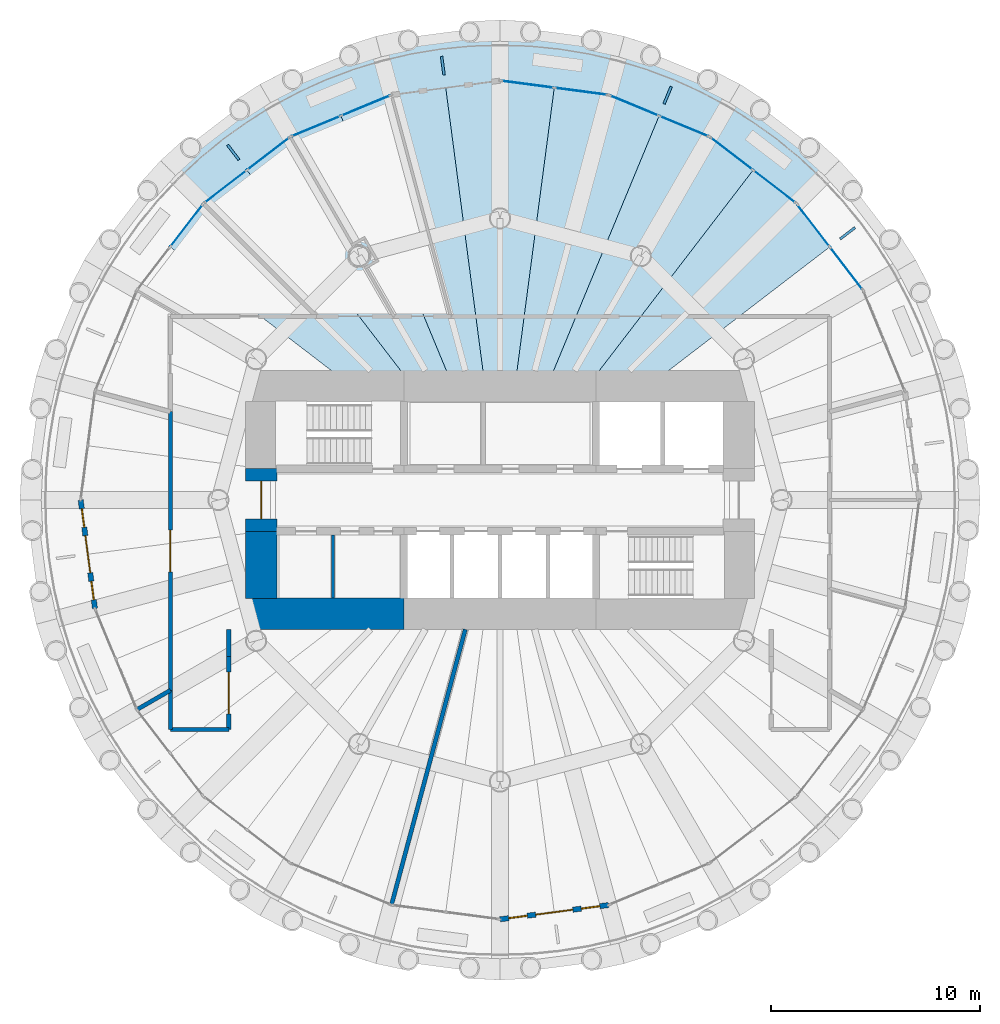
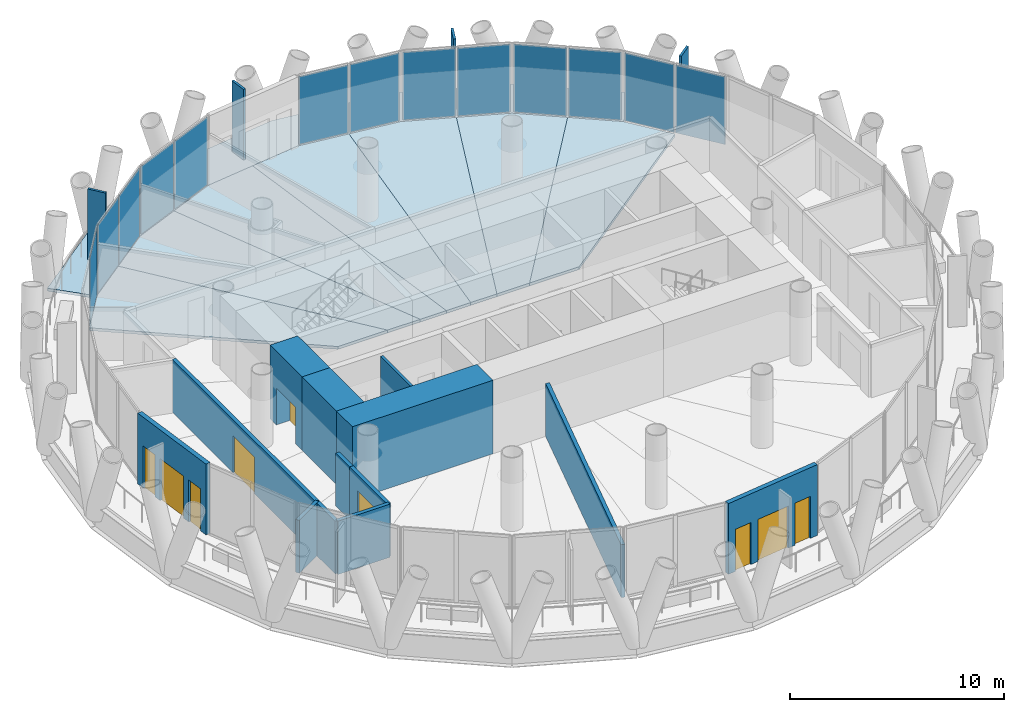
# One storey, part 8 of 14: 17 plates, 13 walls, 8 slabs, 5 doors, 4 windows, 9 openings, 7 elements without a shape of their own.
"""IFC4 building model written with IfcOpenShell, lengths in metres."""

from ifc_helpers import new_model, si_unit, direction, frame, frame_2d, origin, origin_2d, place, context, subcontext, project, spatial, polyline, rectangle, outline, extrude, material, layer, layer_set, type_object, element, fill, aggregate, save


model = new_model("IFC4")

# Units and contexts
model_context = context("Model", 3, precision=1e-05, world=origin(), true_north=direction((0.0, 1.0)))
body_context = subcontext(model_context, "Body", "Model", "MODEL_VIEW")
ifc_project = project(units=[si_unit("LENGTHUNIT", "METRE"), si_unit("AREAUNIT", "SQUARE_METRE"), si_unit("VOLUMEUNIT", "CUBIC_METRE"), si_unit("PLANEANGLEUNIT", "RADIAN"), si_unit("MASSUNIT", "GRAM", prefix="KILO")], contexts=[model_context])

# Site, building, storey
site_placement = place(None, origin())
site = spatial("IfcSite", under=ifc_project, at=site_placement, CompositionType="ELEMENT")
building_placement = place(site_placement, origin())
building = spatial("IfcBuilding", under=site, at=building_placement, Name="Qaws Media Tower", CompositionType="ELEMENT")
storey_placement = place(building_placement, frame((0.0, 0.0, 227.60009765625)))
storey = spatial("IfcBuildingStorey", under=building, at=storey_placement, Name="L52", CompositionType="ELEMENT", Elevation=227.60009765625)

# Slabs
ifc_material_1 = material(Name="Concrete C35/45", Category="concrete")
ifc_layer_1 = layer(ifc_material_1, 0.159912109375)
ifc_layer_set_1 = layer_set([ifc_layer_1], Name="Composite balcony slab 160")
slab_type_1 = type_object("IfcSlabType", Name="Composite balcony slab 160", PredefinedType="FLOOR", material=ifc_layer_set_1)
slab_1_placement = place(storey_placement, frame((0.0, 0.0, -0.16015625)))
element("IfcSlab", 1, at=slab_1_placement, inside=storey, type_object=slab_type_1, Name="S2 balcony slab L52 R04 to R10, movement joints on R04 and R10", PredefinedType="FLOOR", context=body_context, shape_type="SweptSolid", body=[
    extrude(outline(polyline([(48.75, 69.485595703125), (54.176513671875, 71.7333984375), (60.0, 72.5), (65.823486328125, 71.7333984375), (71.25, 69.485595703125), (75.909912109375, 65.909912109375), (74.212890625, 64.212890625), (70.050048828125, 67.406982421875), (65.202392578125, 69.4150390625), (60.0, 70.10009765625), (54.797607421875, 69.4150390625), (49.949951171875, 67.406982421875), (45.787109375, 64.212890625), (44.090087890625, 65.909912109375), (48.75, 69.485595703125)])), origin(), (0.0, 0.0, 1.0), 0.16015625),
])
ifc_material_2 = material(Name="Concrete C35/45", Category="concrete")
ifc_layer_2 = layer(ifc_material_2, 0.159912109375)
ifc_layer_set_2 = layer_set([ifc_layer_2], Name="Composite floor slab 160")
slab_type_2 = type_object("IfcSlabType", Name="Composite floor slab 160", PredefinedType="FLOOR", material=ifc_layer_set_2)
slab_2_placement = place(storey_placement, frame((0.0, 0.0, -0.16015625)))
element("IfcSlab", 2, at=slab_2_placement, inside=storey, type_object=slab_type_2, Name="S1 floor panel L52 on R04", PredefinedType="FLOOR", context=body_context, shape_type="SweptSolid", body=[
    extrude(outline(polyline([(74.212890625, 64.212890625), (75.81005859375, 62.13134765625), (66.51611328125, 55.0), (63.836669921875, 55.0), (72.13134765625, 65.81005859375), (74.212890625, 64.212890625)])), origin(), (0.0, 0.0, 1.0), 0.16015625),
])
slab_3_placement = place(storey_placement, frame((0.0, 0.0, -0.16015625)))
element("IfcSlab", 3, at=slab_3_placement, inside=storey, type_object=slab_type_2, Name="S1 floor panel L52 on R05", PredefinedType="FLOOR", context=body_context, shape_type="SweptSolid", body=[
    extrude(outline(polyline([(70.050048828125, 67.406982421875), (72.13134765625, 65.81005859375), (63.836669921875, 55.0), (62.071044921875, 55.0), (67.626220703125, 68.4111328125), (70.050048828125, 67.406982421875)])), origin(), (0.0, 0.0, 1.0), 0.16015625),
])
slab_4_placement = place(storey_placement, frame((0.0, 0.0, -0.16015625)))
element("IfcSlab", 4, at=slab_4_placement, inside=storey, type_object=slab_type_2, Name="S1 floor panel L52 on R06", PredefinedType="FLOOR", context=body_context, shape_type="SweptSolid", body=[
    extrude(outline(polyline([(65.202392578125, 69.4150390625), (67.626220703125, 68.4111328125), (62.071044921875, 55.0), (60.658203125, 55.0), (62.60107421875, 69.757568359375), (65.202392578125, 69.4150390625)])), origin(), (0.0, 0.0, 1.0), 0.16015625),
])
slab_5_placement = place(storey_placement, frame((0.0, 0.0, -0.16015625)))
element("IfcSlab", 5, at=slab_5_placement, inside=storey, type_object=slab_type_2, Name="S1 floor panel L52 on R07", PredefinedType="FLOOR", context=body_context, shape_type="SweptSolid", body=[
    extrude(outline(polyline([(60.0, 70.10009765625), (62.60107421875, 69.757568359375), (60.658203125, 55.0), (59.341796875, 55.0), (57.39892578125, 69.757568359375), (60.0, 70.10009765625)])), origin(), (0.0, 0.0, 1.0), 0.16015625),
])
slab_6_placement = place(storey_placement, frame((0.0, 0.0, -0.16015625)))
element("IfcSlab", 6, at=slab_6_placement, inside=storey, type_object=slab_type_2, Name="S1 floor panel L52 on R08", PredefinedType="FLOOR", context=body_context, shape_type="SweptSolid", body=[
    extrude(outline(polyline([(54.797607421875, 69.4150390625), (57.39892578125, 69.757568359375), (59.341796875, 55.0), (57.928955078125, 55.0), (52.373779296875, 68.4111328125), (54.797607421875, 69.4150390625)])), origin(), (0.0, 0.0, 1.0), 0.16015625),
])
slab_7_placement = place(storey_placement, frame((0.0, 0.0, -0.16015625)))
element("IfcSlab", 7, at=slab_7_placement, inside=storey, type_object=slab_type_2, Name="S1 floor panel L52 on R09", PredefinedType="FLOOR", context=body_context, shape_type="SweptSolid", body=[
    extrude(outline(polyline([(49.949951171875, 67.406982421875), (52.373779296875, 68.4111328125), (57.928955078125, 55.0), (56.163330078125, 55.0), (47.86865234375, 65.81005859375), (49.949951171875, 67.406982421875)])), origin(), (0.0, 0.0, 1.0), 0.16015625),
])
slab_8_placement = place(storey_placement, frame((0.0, 0.0, -0.16015625)))
element("IfcSlab", 8, at=slab_8_placement, inside=storey, type_object=slab_type_2, Name="S1 floor panel L52 on R10", PredefinedType="FLOOR", context=body_context, shape_type="SweptSolid", body=[
    extrude(outline(polyline([(45.787109375, 64.212890625), (47.86865234375, 65.81005859375), (56.163330078125, 55.0), (53.48388671875, 55.0), (44.18994140625, 62.13134765625), (45.787109375, 64.212890625)])), origin(), (0.0, 0.0, 1.0), 0.16015625),
])

# Curtain wall, plates
ifc_material_3 = material(Name="Aluminium and clear glass", Category="aluminium")
curtain_wall_type = type_object("IfcCurtainWallType", Name="Unitised curtain wall CW-C", PredefinedType="NOTDEFINED", material=ifc_material_3)
curtain_wall_1_placement = place(storey_placement, origin())
curtain_wall_1 = element("IfcCurtainWall", 9, at=curtain_wall_1_placement, inside=storey, type_object=curtain_wall_type, Name="CWC curtain wall L52-03", PredefinedType="NOTDEFINED")
ifc_material_4 = material(Name="Clear laminated double glazing", Category="glass")
ifc_layer_3 = layer(ifc_material_4, 0.031982421875)
ifc_layer_set_3 = layer_set([ifc_layer_3], Name="Curtain wall glass unit 32")
plate_type_1 = type_object("IfcPlateType", Name="Curtain wall glass unit 32", PredefinedType="CURTAIN_PANEL", material=ifc_layer_set_3)
plate_1_placement = place(storey_placement, frame((76.596435546875, 61.106689453125, 0.080078125), z_axis=(0.0, 0.0, 1.0), x_axis=(-0.608761539048, 0.793353255855, 0.0)))
plate_1 = element("IfcPlate", 10, at=plate_1_placement, type_object=plate_type_1, Name="CWC panel 1.1", PredefinedType="CURTAIN_PANEL", context=body_context, shape_type="SweptSolid", body=[
    extrude(rectangle(XDim=2.503662109375, YDim=0.031982421875, at=origin_2d()), origin(), (0.0, 0.0, 1.0), 3.8798828125),
])
plate_2_placement = place(storey_placement, frame((75.023681640625, 63.15625, 0.080078125), z_axis=(0.0, 0.0, 1.0), x_axis=(-0.608761539048, 0.793353255855, 0.0)))
plate_2 = element("IfcPlate", 11, at=plate_2_placement, type_object=plate_type_1, Name="CWC panel 2.1", PredefinedType="CURTAIN_PANEL", context=body_context, shape_type="SweptSolid", body=[
    extrude(rectangle(XDim=2.503662109375, YDim=0.031982421875, at=origin_2d()), origin(), (0.0, 0.0, 1.0), 3.8798828125),
])
aggregate(curtain_wall_1, [plate_1, plate_2])

curtain_wall_2_placement = place(storey_placement, origin())
curtain_wall_2 = element("IfcCurtainWall", 12, at=curtain_wall_2_placement, inside=storey, type_object=curtain_wall_type, Name="CWC curtain wall L52-04", PredefinedType="NOTDEFINED")
plate_3_placement = place(storey_placement, frame((73.15625, 65.023681640625, 0.080078125), z_axis=(0.0, 0.0, 1.0), x_axis=(-0.793353255855, 0.608761539048, 0.0)))
plate_3 = element("IfcPlate", 13, at=plate_3_placement, type_object=plate_type_1, Name="CWC panel 1.1", PredefinedType="CURTAIN_PANEL", context=body_context, shape_type="SweptSolid", body=[
    extrude(rectangle(XDim=2.503662109375, YDim=0.031982421875, at=origin_2d()), origin(), (0.0, 0.0, 1.0), 3.8798828125),
])
plate_4_placement = place(storey_placement, frame((71.106689453125, 66.596435546875, 0.080078125), z_axis=(0.0, 0.0, 1.0), x_axis=(-0.793353255855, 0.608761539048, 0.0)))
plate_4 = element("IfcPlate", 14, at=plate_4_placement, type_object=plate_type_1, Name="CWC panel 2.1", PredefinedType="CURTAIN_PANEL", context=body_context, shape_type="SweptSolid", body=[
    extrude(rectangle(XDim=2.503662109375, YDim=0.031982421875, at=origin_2d()), origin(), (0.0, 0.0, 1.0), 3.8798828125),
])
aggregate(curtain_wall_2, [plate_3, plate_4])

curtain_wall_3_placement = place(storey_placement, origin())
curtain_wall_3 = element("IfcCurtainWall", 15, at=curtain_wall_3_placement, inside=storey, type_object=curtain_wall_type, Name="CWC curtain wall L52-05", PredefinedType="NOTDEFINED")
plate_5_placement = place(storey_placement, frame((68.819580078125, 67.916748046875, 0.080078125), z_axis=(0.0, 0.0, 1.0), x_axis=(-0.92387956029, 0.382683365302, 0.0)))
plate_5 = element("IfcPlate", 16, at=plate_5_placement, type_object=plate_type_1, Name="CWC panel 1.1", PredefinedType="CURTAIN_PANEL", context=body_context, shape_type="SweptSolid", body=[
    extrude(rectangle(XDim=2.503662109375, YDim=0.031982421875, at=origin_2d()), origin(), (0.0, 0.0, 1.0), 3.8798828125),
])
plate_6_placement = place(storey_placement, frame((66.4326171875, 68.905517578125, 0.080078125), z_axis=(0.0, 0.0, 1.0), x_axis=(-0.92387956029, 0.382683365302, 0.0)))
plate_6 = element("IfcPlate", 17, at=plate_6_placement, type_object=plate_type_1, Name="CWC panel 2.1", PredefinedType="CURTAIN_PANEL", context=body_context, shape_type="SweptSolid", body=[
    extrude(rectangle(XDim=2.503662109375, YDim=0.031982421875, at=origin_2d()), origin(), (0.0, 0.0, 1.0), 3.8798828125),
])
aggregate(curtain_wall_3, [plate_5, plate_6])

curtain_wall_4_placement = place(storey_placement, origin())
curtain_wall_4 = element("IfcCurtainWall", 18, at=curtain_wall_4_placement, inside=storey, type_object=curtain_wall_type, Name="CWC curtain wall L52-06", PredefinedType="NOTDEFINED")
plate_7_placement = place(storey_placement, frame((63.8818359375, 69.5888671875, 0.080078125), z_axis=(0.0, 0.0, 1.0), x_axis=(-0.991444859328, 0.130526207759, 0.0)))
plate_7 = element("IfcPlate", 19, at=plate_7_placement, type_object=plate_type_1, Name="CWC panel 1.1", PredefinedType="CURTAIN_PANEL", context=body_context, shape_type="SweptSolid", body=[
    extrude(rectangle(XDim=2.503662109375, YDim=0.031982421875, at=origin_2d()), origin(), (0.0, 0.0, 1.0), 3.8798828125),
])
plate_8_placement = place(storey_placement, frame((61.3203125, 69.92626953125, 0.080078125), z_axis=(0.0, 0.0, 1.0), x_axis=(-0.991444859328, 0.130526207759, 0.0)))
plate_8 = element("IfcPlate", 20, at=plate_8_placement, type_object=plate_type_1, Name="CWC panel 2.1", PredefinedType="CURTAIN_PANEL", context=body_context, shape_type="SweptSolid", body=[
    extrude(rectangle(XDim=2.503662109375, YDim=0.031982421875, at=origin_2d()), origin(), (0.0, 0.0, 1.0), 3.8798828125),
])
aggregate(curtain_wall_4, [plate_7, plate_8])

curtain_wall_5_placement = place(storey_placement, origin())
curtain_wall_5 = element("IfcCurtainWall", 21, at=curtain_wall_5_placement, inside=storey, type_object=curtain_wall_type, Name="CWC curtain wall L52-08", PredefinedType="NOTDEFINED")
plate_9_placement = place(storey_placement, frame((53.5673828125, 68.905517578125, 0.080078125), z_axis=(0.0, 0.0, 1.0), x_axis=(-0.92387956029, -0.382683365302, 0.0)))
plate_9 = element("IfcPlate", 22, at=plate_9_placement, type_object=plate_type_1, Name="CWC panel 1.1", PredefinedType="CURTAIN_PANEL", context=body_context, shape_type="SweptSolid", body=[
    extrude(rectangle(XDim=2.503662109375, YDim=0.031982421875, at=origin_2d()), origin(), (0.0, 0.0, 1.0), 3.8798828125),
])
plate_10_placement = place(storey_placement, frame((51.180419921875, 67.916748046875, 0.080078125), z_axis=(0.0, 0.0, 1.0), x_axis=(-0.92387956029, -0.382683365302, 0.0)))
plate_10 = element("IfcPlate", 23, at=plate_10_placement, type_object=plate_type_1, Name="CWC panel 2.1", PredefinedType="CURTAIN_PANEL", context=body_context, shape_type="SweptSolid", body=[
    extrude(rectangle(XDim=2.503662109375, YDim=0.031982421875, at=origin_2d()), origin(), (0.0, 0.0, 1.0), 3.8798828125),
])
aggregate(curtain_wall_5, [plate_9, plate_10])

curtain_wall_6_placement = place(storey_placement, origin())
curtain_wall_6 = element("IfcCurtainWall", 24, at=curtain_wall_6_placement, inside=storey, type_object=curtain_wall_type, Name="CWC curtain wall L52-09", PredefinedType="NOTDEFINED")
plate_11_placement = place(storey_placement, frame((48.893310546875, 66.596435546875, 0.080078125), z_axis=(0.0, 0.0, 1.0), x_axis=(-0.793353255855, -0.608761539048, 0.0)))
plate_11 = element("IfcPlate", 25, at=plate_11_placement, type_object=plate_type_1, Name="CWC panel 1.1", PredefinedType="CURTAIN_PANEL", context=body_context, shape_type="SweptSolid", body=[
    extrude(rectangle(XDim=2.503662109375, YDim=0.031982421875, at=origin_2d()), origin(), (0.0, 0.0, 1.0), 3.8798828125),
])
plate_12_placement = place(storey_placement, frame((46.84375, 65.023681640625, 0.080078125), z_axis=(0.0, 0.0, 1.0), x_axis=(-0.793353255855, -0.608761539048, 0.0)))
plate_12 = element("IfcPlate", 26, at=plate_12_placement, type_object=plate_type_1, Name="CWC panel 2.1", PredefinedType="CURTAIN_PANEL", context=body_context, shape_type="SweptSolid", body=[
    extrude(rectangle(XDim=2.503662109375, YDim=0.031982421875, at=origin_2d()), origin(), (0.0, 0.0, 1.0), 3.8798828125),
])
aggregate(curtain_wall_6, [plate_11, plate_12])

# Curtain wall, plate
curtain_wall_7_placement = place(storey_placement, origin())
curtain_wall_7 = element("IfcCurtainWall", 27, at=curtain_wall_7_placement, inside=storey, type_object=curtain_wall_type, Name="CWC curtain wall L52-10", PredefinedType="NOTDEFINED")
plate_13_placement = place(storey_placement, frame((44.976318359375, 63.15625, 0.080078125), z_axis=(0.0, 0.0, 1.0), x_axis=(-0.608761539048, -0.793353255855, 0.0)))
plate_13 = element("IfcPlate", 28, at=plate_13_placement, type_object=plate_type_1, Name="CWC panel 1.1", PredefinedType="CURTAIN_PANEL", context=body_context, shape_type="SweptSolid", body=[
    extrude(rectangle(XDim=2.503662109375, YDim=0.031982421875, at=origin_2d()), origin(), (0.0, 0.0, 1.0), 3.8798828125),
])
aggregate(curtain_wall_7, [plate_13])

# Plates
ifc_material_5 = material(Name="Precast concrete screen fin", Category="concrete")
ifc_layer_4 = layer(ifc_material_5, 0.1201171875)
ifc_layer_set_4 = layer_set([ifc_layer_4], Name="Screen fin 120x900")
plate_type_2 = type_object("IfcPlateType", Name="Screen fin 120x900", PredefinedType="USERDEFINED", material=ifc_layer_set_4)
for number, where, z_axis, x_axis, name in (
    (29, (76.660400390625, 62.783935546875, 0.0), (0.0, 0.0, 1.0), (0.793353340291, 0.608761429009, 0.0), "SCR1 screen fin L52-02"),
    (30, (68.036376953125, 69.4013671875, 0.0), (0.0, 0.0, 1.0), (0.382683432365, 0.923879532511, 0.0), "SCR1 screen fin L52-03"),
    (31, (57.259033203125, 70.8203125, 0.0), (0.0, 0.0, 1.0), (-0.13052619222, 0.991444861374, 0.0), "SCR1 screen fin L52-04"),
    (32, (47.216064453125, 66.660400390625, 0.0), (0.0, 0.0, 1.0), (-0.608761429009, 0.793353340291, 0.0), "SCR1 screen fin L52-05"),
):
    element("IfcPlate", number, at=place(storey_placement, frame(where, z_axis=z_axis, x_axis=x_axis)), inside=storey, type_object=plate_type_2, Name=name, ObjectType="SCREEN", PredefinedType="USERDEFINED", context=body_context, shape_type="SweptSolid", body=[
        extrude(rectangle(XDim=0.89990234375, YDim=0.1201171875, at=origin_2d()), origin(), (0.0, 0.0, 1.0), 4.0400390625),
    ])

# Wall, openings, door, windows
ifc_material_6 = material(Name="Precast concrete, exposed finish", Category="concrete")
ifc_layer_5 = layer(ifc_material_6, 0.25)
ifc_layer_set_5 = layer_set([ifc_layer_5], Name="Balcony door wall 250")
wall_type_1 = type_object("IfcWallType", Name="Balcony door wall 250", PredefinedType="SOLIDWALL", material=ifc_layer_set_5)
wall_1_placement = place(storey_placement, frame((39.89990234375, 50.0, 0.0), z_axis=(0.0, 0.0, 1.0), x_axis=(0.130560429487, -0.991440353351, 0.0)))
wall_1 = element("IfcWall", 33, at=wall_1_placement, inside=storey, type_object=wall_type_1, Name="W244 EW1 balcony door wall L52-13", PredefinedType="SOLIDWALL", context=body_context, shape_type="SweptSolid", body=[
    extrude(rectangle(XDim=5.2470703125, YDim=0.25, at=frame_2d((2.62353515625, 0.0))), origin(), (0.0, 0.0, 1.0), 4.039794921875),
])
opening_1_placement = place(wall_1_placement, frame((1.7236328125, 0.0, 0.0)))
opening_1 = element("IfcOpeningElement", 34, at=opening_1_placement, cuts=wall_1, Name="Opening D7", PredefinedType="OPENING", context=body_context, shape_type="SweptSolid", body=[
    extrude(rectangle(XDim=1.800048828125, YDim=2.39990234375, at=frame_2d((0.89990234375, 1.199951171875))), frame((0.0, 0.135009765625, 0.0), z_axis=(0.0, -1.0, 0.0), x_axis=(1.0, 0.0, 0.0)), (0.0, 0.0, 1.0), 0.27001953125),
])
opening_2_placement = place(wall_1_placement, frame((0.423583984375, 0.0, 0.0)))
opening_2 = element("IfcOpeningElement", 35, at=opening_2_placement, cuts=wall_1, Name="Opening W7", PredefinedType="OPENING", context=body_context, shape_type="SweptSolid", body=[
    extrude(rectangle(XDim=0.89990234375, YDim=2.39990234375, at=frame_2d((0.449951171875, 1.199951171875))), frame((0.0, 0.135009765625, 0.0), z_axis=(0.0, -1.0, 0.0), x_axis=(1.0, 0.0, 0.0)), (0.0, 0.0, 1.0), 0.27001953125),
])
opening_3_placement = place(wall_1_placement, frame((3.923583984375, 0.0, 0.0)))
opening_3 = element("IfcOpeningElement", 36, at=opening_3_placement, cuts=wall_1, Name="Opening W7", PredefinedType="OPENING", context=body_context, shape_type="SweptSolid", body=[
    extrude(rectangle(XDim=0.89990234375, YDim=2.39990234375, at=frame_2d((0.449951171875, 1.199951171875))), frame((0.0, 0.135009765625, 0.0), z_axis=(0.0, -1.0, 0.0), x_axis=(1.0, 0.0, 0.0)), (0.0, 0.0, 1.0), 0.27001953125),
])
ifc_material_7 = material(Name="Aluminium and clear glass", Category="aluminium")
door_type_1 = type_object("IfcDoorType", Name="Balcony door pair 1800", OperationType="DOUBLE_DOOR_SLIDING", PredefinedType="DOOR", material=ifc_material_7)
door_1_placement = place(opening_1_placement, origin())
door_1 = element("IfcDoor", 37, at=door_1_placement, inside=storey, type_object=door_type_1, Name="D7 balcony door L52-13 in wall W244", OperationType="DOUBLE_DOOR_SLIDING", OverallHeight=2.39990234375, OverallWidth=1.800048828125, PredefinedType="DOOR", context=body_context, shape_type="SweptSolid", body=[
    extrude(rectangle(XDim=1.800048828125, YDim=2.39990234375, at=frame_2d((0.89990234375, 1.199951171875))), frame((0.0, 0.02490234375, 0.0), z_axis=(0.0, -1.0, 0.0), x_axis=(1.0, 0.0, 0.0)), (0.0, 0.0, 1.0), 0.050048828125),
])
fill(opening_1, door_1)
ifc_material_8 = material(Name="Aluminium and clear glass", Category="aluminium")
window_type = type_object("IfcWindowType", Name="Balcony side window 900", PartitioningType="SINGLE_PANEL", PredefinedType="WINDOW", material=ifc_material_8)
window_1_placement = place(opening_2_placement, origin())
window_1 = element("IfcWindow", 38, at=window_1_placement, inside=storey, type_object=window_type, Name="W1 balcony side light L52-13L", OverallHeight=2.39990234375, OverallWidth=0.89990234375, PartitioningType="SINGLE_PANEL", PredefinedType="WINDOW", context=body_context, shape_type="SweptSolid", body=[
    extrude(rectangle(XDim=0.89990234375, YDim=2.39990234375, at=frame_2d((0.449951171875, 1.199951171875))), frame((0.0, 0.030029296875, 0.0), z_axis=(0.0, -1.0, 0.0), x_axis=(1.0, 0.0, 0.0)), (0.0, 0.0, 1.0), 0.06005859375),
])
fill(opening_2, window_1)
window_2_placement = place(opening_3_placement, origin())
window_2 = element("IfcWindow", 39, at=window_2_placement, inside=storey, type_object=window_type, Name="W1 balcony side light L52-13R", OverallHeight=2.39990234375, OverallWidth=0.89990234375, PartitioningType="SINGLE_PANEL", PredefinedType="WINDOW", context=body_context, shape_type="SweptSolid", body=[
    extrude(rectangle(XDim=0.89990234375, YDim=2.39990234375, at=frame_2d((0.449951171875, 1.199951171875))), frame((0.0, 0.030029296875, 0.0), z_axis=(0.0, -1.0, 0.0), x_axis=(1.0, 0.0, 0.0)), (0.0, 0.0, 1.0), 0.06005859375),
])
fill(opening_3, window_2)

wall_2_placement = place(storey_placement, frame((60.0, 29.89990234375, 0.0), z_axis=(0.0, 0.0, 1.0), x_axis=(0.991440353351, 0.130560429487, 0.0)))
wall_2 = element("IfcWall", 40, at=wall_2_placement, inside=storey, type_object=wall_type_1, Name="W245 EW1 balcony door wall L52-19", PredefinedType="SOLIDWALL", context=body_context, shape_type="SweptSolid", body=[
    extrude(rectangle(XDim=5.2470703125, YDim=0.25, at=frame_2d((2.62353515625, 0.0))), origin(), (0.0, 0.0, 1.0), 4.039794921875),
])
opening_4_placement = place(wall_2_placement, frame((1.7236328125, 0.0, 0.0)))
opening_4 = element("IfcOpeningElement", 41, at=opening_4_placement, cuts=wall_2, Name="Opening D7", PredefinedType="OPENING", context=body_context, shape_type="SweptSolid", body=[
    extrude(rectangle(XDim=1.800048828125, YDim=2.39990234375, at=frame_2d((0.89990234375, 1.199951171875))), frame((0.0, 0.135009765625, 0.0), z_axis=(0.0, -1.0, 0.0), x_axis=(1.0, 0.0, 0.0)), (0.0, 0.0, 1.0), 0.27001953125),
])
opening_5_placement = place(wall_2_placement, frame((0.423583984375, 0.0, 0.0)))
opening_5 = element("IfcOpeningElement", 42, at=opening_5_placement, cuts=wall_2, Name="Opening W7", PredefinedType="OPENING", context=body_context, shape_type="SweptSolid", body=[
    extrude(rectangle(XDim=0.89990234375, YDim=2.39990234375, at=frame_2d((0.449951171875, 1.199951171875))), frame((0.0, 0.135009765625, 0.0), z_axis=(0.0, -1.0, 0.0), x_axis=(1.0, 0.0, 0.0)), (0.0, 0.0, 1.0), 0.27001953125),
])
opening_6_placement = place(wall_2_placement, frame((3.923583984375, 0.0, 0.0)))
opening_6 = element("IfcOpeningElement", 43, at=opening_6_placement, cuts=wall_2, Name="Opening W7", PredefinedType="OPENING", context=body_context, shape_type="SweptSolid", body=[
    extrude(rectangle(XDim=0.89990234375, YDim=2.39990234375, at=frame_2d((0.449951171875, 1.199951171875))), frame((0.0, 0.135009765625, 0.0), z_axis=(0.0, -1.0, 0.0), x_axis=(1.0, 0.0, 0.0)), (0.0, 0.0, 1.0), 0.27001953125),
])
door_2_placement = place(opening_4_placement, origin())
door_2 = element("IfcDoor", 44, at=door_2_placement, inside=storey, type_object=door_type_1, Name="D7 balcony door L52-19 in wall W245", OperationType="DOUBLE_DOOR_SLIDING", OverallHeight=2.39990234375, OverallWidth=1.800048828125, PredefinedType="DOOR", context=body_context, shape_type="SweptSolid", body=[
    extrude(rectangle(XDim=1.800048828125, YDim=2.39990234375, at=frame_2d((0.89990234375, 1.199951171875))), frame((0.0, 0.02490234375, 0.0), z_axis=(0.0, -1.0, 0.0), x_axis=(1.0, 0.0, 0.0)), (0.0, 0.0, 1.0), 0.050048828125),
])
fill(opening_4, door_2)
window_3_placement = place(opening_5_placement, origin())
window_3 = element("IfcWindow", 45, at=window_3_placement, inside=storey, type_object=window_type, Name="W1 balcony side light L52-19L", OverallHeight=2.39990234375, OverallWidth=0.89990234375, PartitioningType="SINGLE_PANEL", PredefinedType="WINDOW", context=body_context, shape_type="SweptSolid", body=[
    extrude(rectangle(XDim=0.89990234375, YDim=2.39990234375, at=frame_2d((0.449951171875, 1.199951171875))), frame((0.0, 0.030029296875, 0.0), z_axis=(0.0, -1.0, 0.0), x_axis=(1.0, 0.0, 0.0)), (0.0, 0.0, 1.0), 0.06005859375),
])
fill(opening_5, window_3)
window_4_placement = place(opening_6_placement, origin())
window_4 = element("IfcWindow", 46, at=window_4_placement, inside=storey, type_object=window_type, Name="W1 balcony side light L52-19R", OverallHeight=2.39990234375, OverallWidth=0.89990234375, PartitioningType="SINGLE_PANEL", PredefinedType="WINDOW", context=body_context, shape_type="SweptSolid", body=[
    extrude(rectangle(XDim=0.89990234375, YDim=2.39990234375, at=frame_2d((0.449951171875, 1.199951171875))), frame((0.0, 0.030029296875, 0.0), z_axis=(0.0, -1.0, 0.0), x_axis=(1.0, 0.0, 0.0)), (0.0, 0.0, 1.0), 0.06005859375),
])
fill(opening_6, window_4)

# Walls
ifc_material_9 = material(Name="Concrete C60/75", Category="concrete")
ifc_layer_6 = layer(ifc_material_9, 1.5)
ifc_layer_set_6 = layer_set([ifc_layer_6], Name="Core wall 1500")
wall_type_2 = type_object("IfcWallType", Name="Core wall 1500", PredefinedType="SHEAR", material=ifc_layer_set_6)
wall_3_placement = place(storey_placement, frame((47.800048828125, 44.550048828125, 0.0), z_axis=(0.0, 0.0, 1.0), x_axis=(1.0, 0.0, 0.0)))
element("IfcWall", 47, at=wall_3_placement, inside=storey, type_object=wall_type_2, Name="W376 SW13 core wall SW L52", PredefinedType="SHEAR", context=body_context, shape_type="SweptSolid", body=[
    extrude(rectangle(XDim=7.599853515625, YDim=1.5, at=frame_2d((3.7998046875, 0.0))), origin(), (0.0, 0.0, 1.0), 4.199951171875),
])
wall_4_placement = place(storey_placement, frame((48.550048828125, 45.280029296875, 0.0), z_axis=(0.0, 0.0, 1.0), x_axis=(0.0, 1.0, 0.0)))
element("IfcWall", 48, at=wall_4_placement, inside=storey, type_object=wall_type_2, Name="W378 SW13 core wall WS L52", PredefinedType="SHEAR", context=body_context, shape_type="SweptSolid", body=[
    extrude(rectangle(XDim=3.219970703125, YDim=1.5, at=frame_2d((1.60986328125, 0.0))), origin(), (0.0, 0.0, 1.0), 4.199951171875),
])

# Wall, opening, door
wall_5_placement = place(storey_placement, frame((48.550048828125, 48.5, 0.0), z_axis=(0.0, 0.0, 1.0), x_axis=(0.0, 1.0, 0.0)))
wall_5 = element("IfcWall", 49, at=wall_5_placement, inside=storey, type_object=wall_type_2, Name="W379 SW13 core wall W L52", PredefinedType="SHEAR", context=body_context, shape_type="SweptSolid", body=[
    extrude(rectangle(XDim=3.0, YDim=1.5, at=frame_2d((1.5, 0.0))), origin(), (0.0, 0.0, 1.0), 4.199951171875),
])
opening_7_placement = place(wall_5_placement, frame((0.60009765625, 0.0, 0.0)))
opening_7 = element("IfcOpeningElement", 50, at=opening_7_placement, cuts=wall_5, Name="Opening D2", PredefinedType="OPENING", context=body_context, shape_type="SweptSolid", body=[
    extrude(rectangle(XDim=1.800048828125, YDim=2.10009765625, at=frame_2d((0.89990234375, 1.050048828125))), frame((0.0, 0.760009765625, 0.0), z_axis=(0.0, -1.0, 0.0), x_axis=(1.0, 0.0, 0.0)), (0.0, 0.0, 1.0), 1.52001953125),
])
ifc_material_10 = material(Name="Steel and glass, fire rated", Category="steel")
door_type_2 = type_object("IfcDoorType", Name="Lobby door pair 1800 FD60", OperationType="DOUBLE_DOOR_DOUBLE_SWING", PredefinedType="DOOR", material=ifc_material_10)
door_3_placement = place(opening_7_placement, origin())
door_3 = element("IfcDoor", 51, at=door_3_placement, inside=storey, type_object=door_type_2, Name="D2 core lobby door W L52 in wall W379", OperationType="DOUBLE_DOOR_DOUBLE_SWING", OverallHeight=2.10009765625, OverallWidth=1.800048828125, PredefinedType="DOOR", context=body_context, shape_type="SweptSolid", body=[
    extrude(rectangle(XDim=1.800048828125, YDim=2.10009765625, at=frame_2d((0.89990234375, 1.050048828125))), frame((0.0, 0.02490234375, 0.0), z_axis=(0.0, -1.0, 0.0), x_axis=(1.0, 0.0, 0.0)), (0.0, 0.0, 1.0), 0.050048828125),
])
fill(opening_7, door_3)

# Wall
ifc_material_11 = material(Name="Gypsum board on galvanised metal studs, acoustic double stud, deflection head", Category="gypsum")
ifc_layer_7 = layer(ifc_material_11, 0.199951171875)
ifc_layer_set_7 = layer_set([ifc_layer_7], Name="Room partition 200")
wall_type_3 = type_object("IfcWallType", Name="Room partition 200", PredefinedType="PARTITIONING", material=ifc_layer_set_7)
wall_6_placement = place(storey_placement, frame((47.0, 43.800048828125, 0.0), z_axis=(0.0, 0.0, 1.0), x_axis=(0.0, -1.0, 0.0)))
element("IfcWall", 52, at=wall_6_placement, inside=storey, type_object=wall_type_3, Name="W1600 IW3 partition L52", PredefinedType="PARTITIONING", context=body_context, shape_type="SweptSolid", body=[
    extrude(rectangle(XDim=1.3056640625, YDim=0.199951171875, at=frame_2d((0.65283203125, 0.0))), origin(), (0.0, 0.0, 1.0), 3.02001953125),
])

# Wall, opening, door
wall_7_placement = place(storey_placement, frame((47.0, 42.494384765625, 0.0), z_axis=(0.0, 0.0, 1.0), x_axis=(0.0, -1.0, 0.0)))
wall_7 = element("IfcWall", 53, at=wall_7_placement, inside=storey, type_object=wall_type_3, Name="W1599 IW3 partition L52", PredefinedType="PARTITIONING", context=body_context, shape_type="SweptSolid", body=[
    extrude(rectangle(XDim=3.494384765625, YDim=0.199951171875, at=frame_2d((1.7470703125, 0.0))), origin(), (0.0, 0.0, 1.0), 3.02001953125),
])
opening_8_placement = place(wall_7_placement, frame((0.747314453125, 0.0, 0.0)))
opening_8 = element("IfcOpeningElement", 54, at=opening_8_placement, cuts=wall_7, Name="Opening D6", PredefinedType="OPENING", context=body_context, shape_type="SweptSolid", body=[
    extrude(rectangle(XDim=2.0, YDim=2.10009765625, at=frame_2d((1.0, 1.050048828125))), frame((0.0, 0.10986328125, 0.0), z_axis=(0.0, -1.0, 0.0), x_axis=(1.0, 0.0, 0.0)), (0.0, 0.0, 1.0), 0.219970703125),
])
ifc_material_12 = material(Name="Steel, acoustic, fire rated", Category="steel")
door_type_3 = type_object("IfcDoorType", Name="Room door pair 2000", OperationType="DOUBLE_DOOR_DOUBLE_SWING", PredefinedType="DOOR", material=ifc_material_12)
door_4_placement = place(opening_8_placement, origin())
door_4 = element("IfcDoor", 55, at=door_4_placement, inside=storey, type_object=door_type_3, Name="D6 Tenant office door L52 in wall W1599", OperationType="DOUBLE_DOOR_DOUBLE_SWING", OverallHeight=2.10009765625, OverallWidth=2.0, PredefinedType="DOOR", context=body_context, shape_type="SweptSolid", body=[
    extrude(rectangle(XDim=2.0, YDim=2.10009765625, at=frame_2d((1.0, 1.050048828125))), frame((0.0, 0.02490234375, 0.0), z_axis=(0.0, -1.0, 0.0), x_axis=(1.0, 0.0, 0.0)), (0.0, 0.0, 1.0), 0.050048828125),
])
fill(opening_8, door_4)

# Walls
wall_8_placement = place(storey_placement, frame((47.0, 39.0, 0.0), z_axis=(0.0, 0.0, 1.0), x_axis=(-1.0, 0.0, 0.0)))
element("IfcWall", 56, at=wall_8_placement, inside=storey, type_object=wall_type_3, Name="W1222 IW3 partition L52", PredefinedType="PARTITIONING", context=body_context, shape_type="SweptSolid", body=[
    extrude(rectangle(XDim=2.800048828125, YDim=0.199951171875, at=frame_2d((1.39990234375, 0.0))), origin(), (0.0, 0.0, 1.0), 3.039794921875),
])
wall_9_placement = place(storey_placement, frame((44.199951171875, 39.0, 0.0), z_axis=(0.0, 0.0, 1.0), x_axis=(0.0, 1.0, 0.0)))
element("IfcWall", 57, at=wall_9_placement, inside=storey, type_object=wall_type_3, Name="W1610 IW3 partition L52", PredefinedType="PARTITIONING", context=body_context, shape_type="SweptSolid", body=[
    extrude(rectangle(XDim=1.8779296875, YDim=0.199951171875, at=frame_2d((0.93896484375, 0.0))), origin(), (0.0, 0.0, 1.0), 3.02001953125),
])

# Wall, opening, door
wall_10_placement = place(storey_placement, frame((44.199951171875, 40.8779296875, 0.0), z_axis=(0.0, 0.0, 1.0), x_axis=(0.0, 1.0, 0.0)))
wall_10 = element("IfcWall", 58, at=wall_10_placement, inside=storey, type_object=wall_type_3, Name="W1611 IW3 partition L52", PredefinedType="PARTITIONING", context=body_context, shape_type="SweptSolid", body=[
    extrude(rectangle(XDim=13.355712890625, YDim=0.199951171875, at=frame_2d((6.677734375, 0.0))), origin(), (0.0, 0.0, 1.0), 3.02001953125),
])
opening_9_placement = place(wall_10_placement, frame((5.677978515625, 0.0, 0.0)))
opening_9 = element("IfcOpeningElement", 59, at=opening_9_placement, cuts=wall_10, Name="Opening D6", PredefinedType="OPENING", context=body_context, shape_type="SweptSolid", body=[
    extrude(rectangle(XDim=2.0, YDim=2.10009765625, at=frame_2d((1.0, 1.050048828125))), frame((0.0, 0.10986328125, 0.0), z_axis=(0.0, -1.0, 0.0), x_axis=(1.0, 0.0, 0.0)), (0.0, 0.0, 1.0), 0.219970703125),
])
door_5_placement = place(opening_9_placement, origin())
door_5 = element("IfcDoor", 60, at=door_5_placement, inside=storey, type_object=door_type_3, Name="D6 Tenant office door L52 in wall W1611", OperationType="DOUBLE_DOOR_DOUBLE_SWING", OverallHeight=2.10009765625, OverallWidth=2.0, PredefinedType="DOOR", context=body_context, shape_type="SweptSolid", body=[
    extrude(rectangle(XDim=2.0, YDim=2.10009765625, at=frame_2d((1.0, 1.050048828125))), frame((0.0, 0.02490234375, 0.0), z_axis=(0.0, -1.0, 0.0), x_axis=(1.0, 0.0, 0.0)), (0.0, 0.0, 1.0), 0.050048828125),
])
fill(opening_9, door_5)

# Walls
wall_11_placement = place(storey_placement, frame((44.20361328125, 40.8798828125, 0.0), z_axis=(0.0, 0.0, 1.0), x_axis=(-0.866047089031, -0.499962438169, 0.0)))
element("IfcWall", 61, at=wall_11_placement, inside=storey, type_object=wall_type_3, Name="W1614 IW3 partition L52", PredefinedType="PARTITIONING", context=body_context, shape_type="SweptSolid", body=[
    extrude(rectangle(XDim=1.820068359375, YDim=0.199951171875, at=frame_2d((0.91015625, 0.0))), origin(), (0.0, 0.0, 1.0), 3.02001953125),
])
wall_12_placement = place(storey_placement, frame((58.33837890625, 43.798828125, 0.0), z_axis=(0.0, 0.0, 1.0), x_axis=(-0.258816604947, -0.965926480123, 0.0)))
element("IfcWall", 62, at=wall_12_placement, inside=storey, type_object=wall_type_3, Name="W1619 IW3 partition L52", PredefinedType="PARTITIONING", context=body_context, shape_type="SweptSolid", body=[
    extrude(rectangle(XDim=13.64013671875, YDim=0.199951171875, at=frame_2d((6.820068359375, 0.0))), origin(), (0.0, 0.0, 1.0), 3.02001953125),
])
ifc_material_13 = material(Name="Gypsum board on galvanised metal studs, deflection head", Category="gypsum")
ifc_layer_8 = layer(ifc_material_13, 0.14990234375)
ifc_layer_set_8 = layer_set([ifc_layer_8], Name="WC partition 150")
wall_type_4 = type_object("IfcWallType", Name="WC partition 150", PredefinedType="PARTITIONING", material=ifc_layer_set_8)
wall_13_placement = place(storey_placement, frame((52.0, 45.300048828125, 0.0), z_axis=(0.0, 0.0, 1.0), x_axis=(0.0, 1.0, 0.0)))
element("IfcWall", 63, at=wall_13_placement, inside=storey, type_object=wall_type_4, Name="W1925 IW2 toilet partition 1 L52", PredefinedType="PARTITIONING", context=body_context, shape_type="SweptSolid", body=[
    extrude(rectangle(XDim=3.02490234375, YDim=0.14990234375, at=frame_2d((1.512451171875, 0.0))), origin(), (0.0, 0.0, 1.0), 4.039794921875),
])

save(model, "model.ifc")
